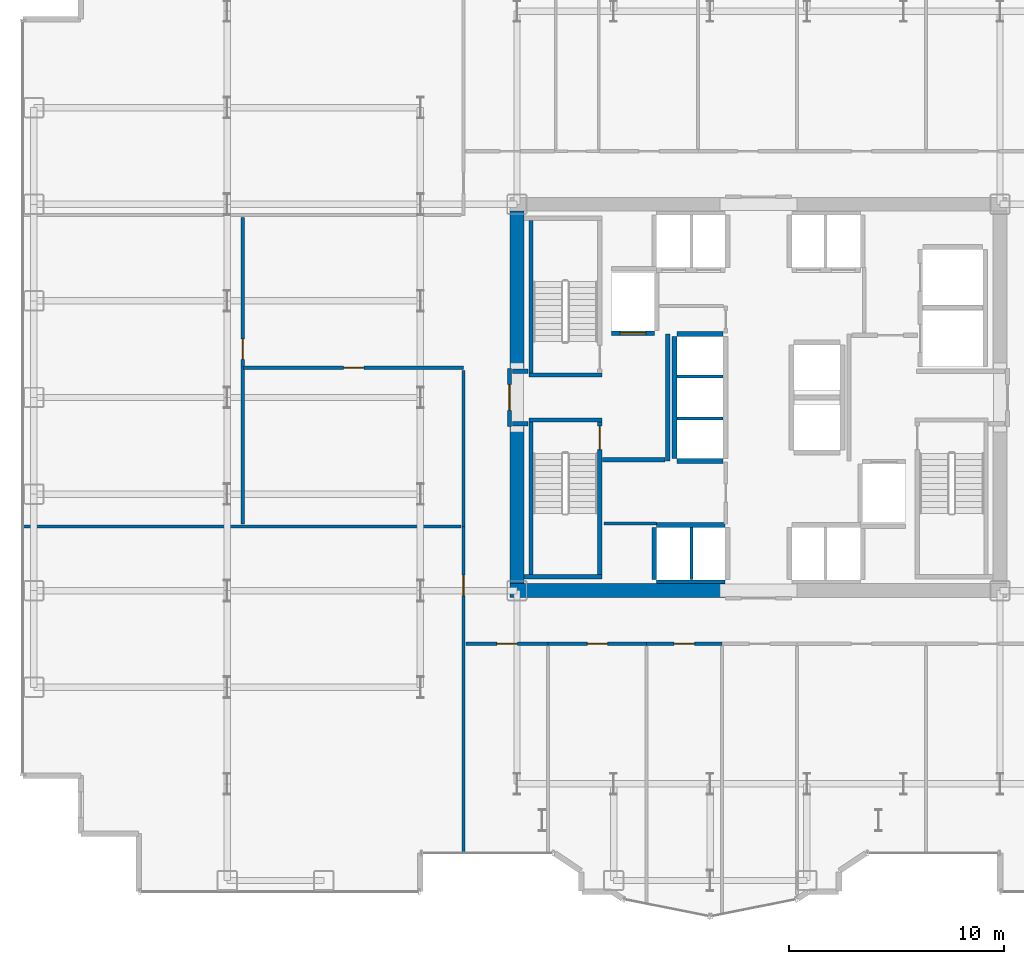
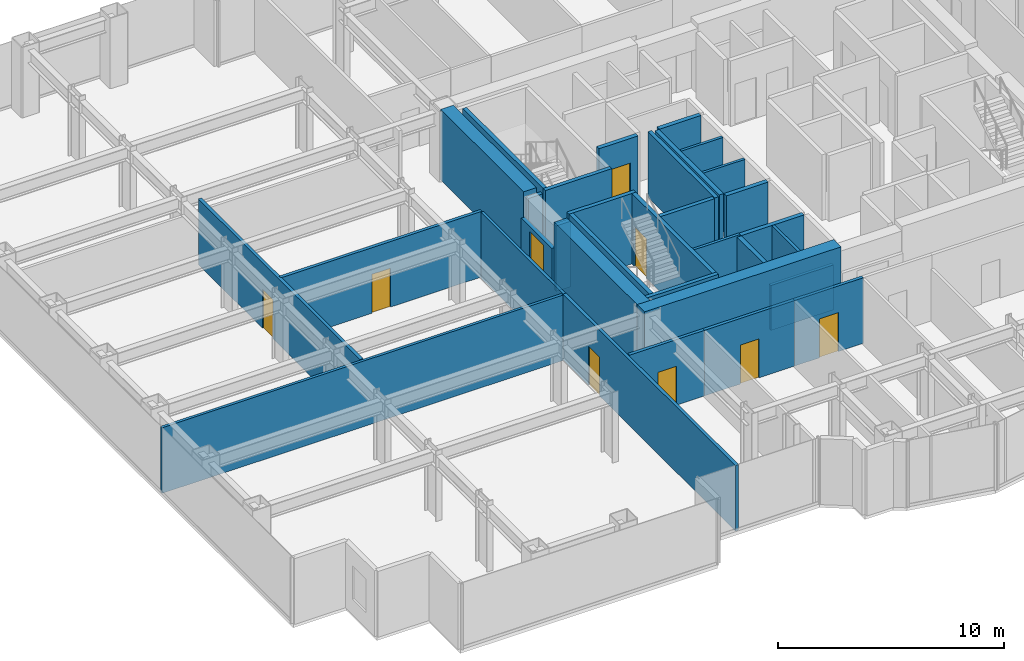
# One storey, part 20 of 26: 33 walls, 9 doors, 9 openings.
"""IFC4 building model written with IfcOpenShell, lengths in metres."""

from ifc_helpers import new_model, si_unit, direction, frame, frame_2d, origin, place, context, subcontext, project, spatial, rectangle, extrude, source, transform, mapped, material, layer, layer_set, type_object, element, fill, save


model = new_model("IFC4")

# Units and contexts
model_context = context("Model", 3, precision=1e-05, world=origin(), true_north=direction((0.0, 1.0)))
body_context = subcontext(model_context, "Body", "Model", "MODEL_VIEW")
ifc_project = project(units=[si_unit("LENGTHUNIT", "METRE"), si_unit("AREAUNIT", "SQUARE_METRE"), si_unit("VOLUMEUNIT", "CUBIC_METRE"), si_unit("PLANEANGLEUNIT", "RADIAN"), si_unit("MASSUNIT", "GRAM", prefix="KILO")], contexts=[model_context])

# Site, building, storey
site_placement = place(None, origin())
site = spatial("IfcSite", under=ifc_project, at=site_placement, CompositionType="ELEMENT")
building_placement = place(site_placement, origin())
building = spatial("IfcBuilding", under=site, at=building_placement, Name="Nefas-Gora Pilgrimage Tower", CompositionType="ELEMENT")
storey_placement = place(building_placement, frame((0.0, 0.0, 63.39990234375)))
storey = spatial("IfcBuildingStorey", under=building, at=storey_placement, Name="L14", CompositionType="ELEMENT", Elevation=63.39990234375)

# Walls
ifc_material_1 = material(Name="Concrete C60/75", Category="concrete")
ifc_layer_1 = layer(ifc_material_1, 0.64990234375)
ifc_layer_set_1 = layer_set([ifc_layer_1], Name="Concrete C60/75")
wall_type_1 = type_object("IfcWallType", Name="SW-CORE-650", PredefinedType="SHEAR", material=ifc_layer_set_1)
shared_shape_1 = source(origin(), body_context, "Body", "SweptSolid", [
    extrude(rectangle(XDim=10.02490234375, YDim=0.64990234375, at=frame_2d((5.012451171875, 0.0))), origin(), (0.0, 0.0, 1.0), 3.800048828125),
])
wall_1_placement = place(storey_placement, frame((-11.574951171875, -9.0, 0.0), z_axis=(0.0, 0.0, 1.0), x_axis=(1.0, 0.0, 0.0)))
element("IfcWall", 1, at=wall_1_placement, inside=storey, type_object=wall_type_1, Name="L14 Core Shear Wall S-West", PredefinedType="SHEAR", context=body_context, shape_type="MappedRepresentation", body=[
    mapped(shared_shape_1, transform((0.0, 0.0, 0.0), x_axis=(1.0, 0.0, 0.0), y_axis=(0.0, 1.0, 0.0), z_axis=(0.0, 0.0, 1.0), scale=1.0)),
])
shared_shape_2 = source(origin(), body_context, "Body", "SweptSolid", [
    extrude(rectangle(XDim=7.324951171875, YDim=0.64990234375, at=frame_2d((3.66259765625, 0.0))), origin(), (0.0, 0.0, 1.0), 3.800048828125),
])
for number, where, z_axis, x_axis, name in (
    (2, (-11.25, -8.675048828125, 0.0), (0.0, 0.0, 1.0), (0.0, 1.0, 0.0), "L14 Core Shear Wall W-South"),
    (3, (-11.25, 1.35009765625, 0.0), (0.0, 0.0, 1.0), (0.0, 1.0, 0.0), "L14 Core Shear Wall W-North"),
):
    element("IfcWall", number, at=place(storey_placement, frame(where, z_axis=z_axis, x_axis=x_axis)), inside=storey, type_object=wall_type_1, Name=name, PredefinedType="SHEAR", context=body_context, shape_type="MappedRepresentation", body=[
        mapped(shared_shape_2, transform((0.0, 0.0, 0.0), x_axis=(1.0, 0.0, 0.0), y_axis=(0.0, 1.0, 0.0), z_axis=(0.0, 0.0, 1.0), scale=1.0)),
    ])
ifc_material_2 = material(Name="Concrete C45/55", Category="concrete")
ifc_layer_2 = layer(ifc_material_2, 0.199951171875)
ifc_layer_set_2 = layer_set([ifc_layer_2], Name="Concrete C45/55")
wall_type_2 = type_object("IfcWallType", Name="IW-STAIR-200", PredefinedType="SOLIDWALL", material=ifc_layer_set_2)
shared_shape_3 = source(origin(), body_context, "Body", "SweptSolid", [
    extrude(rectangle(XDim=3.39990234375, YDim=0.199951171875, at=frame_2d((1.699951171875, 0.0))), origin(), (0.0, 0.0, 1.0), 3.800048828125),
])
for number, where, z_axis, x_axis, name in (
    (4, (-7.300048828125, 1.050048828125, 0.0), (0.0, 0.0, 1.0), (-1.0, 0.0, 0.0), "L14 Stairwell Shear Wall ST-01-near"),
    (5, (-10.699951171875, -1.050048828125, 0.0), (0.0, 0.0, 1.0), (1.0, 0.0, 0.0), "L14 Stairwell Shear Wall ST-03-near"),
):
    element("IfcWall", number, at=place(storey_placement, frame(where, z_axis=z_axis, x_axis=x_axis)), inside=storey, type_object=wall_type_2, Name=name, PredefinedType="SOLIDWALL", context=body_context, shape_type="MappedRepresentation", body=[
        mapped(shared_shape_3, transform((0.0, 0.0, 0.0), x_axis=(1.0, 0.0, 0.0), y_axis=(0.0, 1.0, 0.0), z_axis=(0.0, 0.0, 1.0), scale=1.0)),
    ])
shared_shape_4 = source(origin(), body_context, "Body", "SweptSolid", [
    extrude(rectangle(XDim=3.6298828125, YDim=0.199951171875, at=frame_2d((1.81494140625, 0.0))), origin(), (0.0, 0.0, 1.0), 3.800048828125),
])
wall_2_placement = place(storey_placement, frame((-10.929931640625, -8.35009765625, 0.0), z_axis=(0.0, 0.0, 1.0), x_axis=(1.0, 0.0, 0.0)))
element("IfcWall", 6, at=wall_2_placement, inside=storey, type_object=wall_type_2, Name="L14 Stairwell Shear Wall ST-03-far", PredefinedType="SOLIDWALL", context=body_context, shape_type="MappedRepresentation", body=[
    mapped(shared_shape_4, transform((0.0, 0.0, 0.0), x_axis=(1.0, 0.0, 0.0), y_axis=(0.0, 1.0, 0.0), z_axis=(0.0, 0.0, 1.0), scale=1.0)),
])
shared_shape_5 = source(origin(), body_context, "Body", "SweptSolid", [
    extrude(rectangle(XDim=7.10009765625, YDim=0.199951171875, at=frame_2d((3.550048828125, 0.0))), origin(), (0.0, 0.0, 1.0), 3.800048828125),
])
for number, where, z_axis, x_axis, name in (
    (7, (-10.60009765625, 1.14990234375, 0.0), (0.0, 0.0, 1.0), (0.0, 1.0, 0.0), "L14 Stairwell Shear Wall ST-01-right"),
    (8, (-10.60009765625, -1.14990234375, 0.0), (0.0, 0.0, 1.0), (0.0, -1.0, 0.0), "L14 Stairwell Shear Wall ST-03-left"),
):
    element("IfcWall", number, at=place(storey_placement, frame(where, z_axis=z_axis, x_axis=x_axis)), inside=storey, type_object=wall_type_2, Name=name, PredefinedType="SOLIDWALL", context=body_context, shape_type="MappedRepresentation", body=[
        mapped(shared_shape_5, transform((0.0, 0.0, 0.0), x_axis=(1.0, 0.0, 0.0), y_axis=(0.0, 1.0, 0.0), z_axis=(0.0, 0.0, 1.0), scale=1.0)),
    ])

# Wall, opening, door
wall_3_placement = place(storey_placement, frame((-7.39990234375, -1.14990234375, 0.0), z_axis=(0.0, 0.0, 1.0), x_axis=(0.0, -1.0, 0.0)))
wall_3 = element("IfcWall", 9, at=wall_3_placement, inside=storey, type_object=wall_type_2, Name="L14 Stairwell Shear Wall ST-03-right", PredefinedType="SOLIDWALL", context=body_context, shape_type="MappedRepresentation", body=[
    mapped(shared_shape_5, transform((0.0, 0.0, 0.0), x_axis=(1.0, 0.0, 0.0), y_axis=(0.0, 1.0, 0.0), z_axis=(0.0, 0.0, 1.0), scale=1.0)),
])
opening_1_placement = place(wall_3_placement, frame((0.179931640625, 0.0, 0.0)))
opening_1 = element("IfcOpeningElement", 10, at=opening_1_placement, cuts=wall_3, Name="Opening ID-ST1", PredefinedType="OPENING", context=body_context, shape_type="SweptSolid", body=[
    extrude(rectangle(XDim=1.10009765625, YDim=2.14990234375, at=frame_2d((0.550048828125, 1.074951171875))), frame((0.0, 0.10986328125, 0.0), z_axis=(0.0, -1.0, 0.0), x_axis=(1.0, 0.0, 0.0)), (0.0, 0.0, 1.0), 0.219970703125),
])
ifc_material_3 = material(Name="Painted galvanised steel fire stair door", Category="steel")
door_type_1 = type_object("IfcDoorType", Name="DR-INT-STAIR-1100", OperationType="NOTDEFINED", PredefinedType="DOOR", material=ifc_material_3)
shared_shape_6 = source(origin(), body_context, "Body", "SweptSolid", [
    extrude(rectangle(XDim=1.10009765625, YDim=2.14990234375, at=frame_2d((0.550048828125, 1.074951171875))), frame((0.0, 0.02490234375, 0.0), z_axis=(0.0, -1.0, 0.0), x_axis=(1.0, 0.0, 0.0)), (0.0, 0.0, 1.0), 0.050048828125),
])
door_1_placement = place(opening_1_placement, origin())
door_1 = element("IfcDoor", 11, at=door_1_placement, inside=storey, type_object=door_type_1, Name="L14 Protected Exit Stair Door ST-03", OperationType="SINGLE_SWING_RIGHT", OverallHeight=2.14990234375, OverallWidth=1.10009765625, PredefinedType="DOOR", context=body_context, shape_type="MappedRepresentation", body=[
    mapped(shared_shape_6, transform((0.0, 0.0, 0.0), x_axis=(1.0, 0.0, 0.0), y_axis=(0.0, 1.0, 0.0), z_axis=(0.0, 0.0, 1.0), scale=1.0)),
])
fill(opening_1, door_1)

# Wall
ifc_material_4 = material(Name="Gypsum acoustic stud partition")
ifc_layer_3 = layer(ifc_material_4, 0.159912109375)
ifc_layer_set_3 = layer_set([ifc_layer_3], Name="Gypsum acoustic stud partition")
wall_type_3 = type_object("IfcWallType", Name="IW-CORR-160", PredefinedType="PARTITIONING", material=ifc_layer_set_3)
shared_shape_7 = source(origin(), body_context, "Body", "SweptSolid", [
    extrude(rectangle(XDim=3.199951171875, YDim=0.159912109375, at=frame_2d((1.60009765625, 0.0))), origin(), (0.0, 0.0, 1.0), 2.425048828125),
])
wall_4_placement = place(storey_placement, frame((-4.75, -8.580078125, 0.0), z_axis=(0.0, 0.0, 1.0), x_axis=(1.0, 0.0, 0.0)))
element("IfcWall", 12, at=wall_4_placement, inside=storey, type_object=wall_type_3, Name="L14 Hoistway Wall PL2-W-S", PredefinedType="PARTITIONING", context=body_context, shape_type="MappedRepresentation", body=[
    mapped(shared_shape_7, transform((0.0, 0.0, 0.0), x_axis=(1.0, 0.0, 0.0), y_axis=(0.0, 1.0, 0.0), z_axis=(0.0, 0.0, 1.0), scale=1.0)),
])

# Wall, opening, door
ifc_material_5 = material(Name="Concrete C40/50", Category="concrete")
ifc_layer_4 = layer(ifc_material_5, 0.219970703125)
ifc_layer_set_4 = layer_set([ifc_layer_4], Name="Concrete C40/50")
wall_type_4 = type_object("IfcWallType", Name="IW-SHAFT-220", PredefinedType="SOLIDWALL", material=ifc_layer_set_4)
shared_shape_8 = source(origin(), body_context, "Body", "SweptSolid", [
    extrude(rectangle(XDim=2.0, YDim=0.219970703125, at=frame_2d((1.0, 0.0))), origin(), (0.0, 0.0, 1.0), 3.53515625),
])
wall_5_placement = place(storey_placement, frame((-6.85009765625, 2.989990234375, 0.0), z_axis=(0.0, 0.0, 1.0), x_axis=(1.0, 0.0, 0.0)))
wall_5 = element("IfcWall", 13, at=wall_5_placement, inside=storey, type_object=wall_type_4, Name="L14 Hoistway Wall FFL-01-S", PredefinedType="SOLIDWALL", context=body_context, shape_type="MappedRepresentation", body=[
    mapped(shared_shape_8, transform((0.0, 0.0, 0.0), x_axis=(1.0, 0.0, 0.0), y_axis=(0.0, 1.0, 0.0), z_axis=(0.0, 0.0, 1.0), scale=1.0)),
])
opening_2_placement = place(wall_5_placement, frame((0.39990234375, 0.0, 0.0)))
opening_2 = element("IfcOpeningElement", 14, at=opening_2_placement, cuts=wall_5, Name="Opening LD-FF", PredefinedType="OPENING", context=body_context, shape_type="SweptSolid", body=[
    extrude(rectangle(XDim=1.199951171875, YDim=2.199951171875, at=frame_2d((0.60009765625, 1.10009765625))), frame((0.0, 0.119873046875, 0.0), z_axis=(0.0, -1.0, 0.0), x_axis=(1.0, 0.0, 0.0)), (0.0, 0.0, 1.0), 0.239990234375),
])
ifc_material_6 = material(Name="Fire-service sliding lift landing door")
door_type_2 = type_object("IfcDoorType", Name="DR-LIFT-FSAE-1200", OperationType="SLIDING_TO_LEFT", PredefinedType="DOOR", material=ifc_material_6)
shared_shape_9 = source(origin(), body_context, "Body", "SweptSolid", [
    extrude(rectangle(XDim=1.199951171875, YDim=2.199951171875, at=frame_2d((0.60009765625, 1.10009765625))), frame((0.0, 0.02490234375, 0.0), z_axis=(0.0, -1.0, 0.0), x_axis=(1.0, 0.0, 0.0)), (0.0, 0.0, 1.0), 0.050048828125),
])
door_2_placement = place(opening_2_placement, origin())
door_2 = element("IfcDoor", 15, at=door_2_placement, inside=storey, type_object=door_type_2, Name="L14 Sliding Lift Landing Door FFL-01", OperationType="SLIDING_TO_LEFT", OverallHeight=2.199951171875, OverallWidth=1.199951171875, PredefinedType="DOOR", context=body_context, shape_type="MappedRepresentation", body=[
    mapped(shared_shape_9, transform((0.0, 0.0, 0.0), x_axis=(1.0, 0.0, 0.0), y_axis=(0.0, 1.0, 0.0), z_axis=(0.0, 0.0, 1.0), scale=1.0)),
])
fill(opening_2, door_2)

# Walls
shared_shape_10 = source(origin(), body_context, "Body", "SweptSolid", [
    extrude(rectangle(XDim=3.199951171875, YDim=0.219970703125, at=frame_2d((1.60009765625, 0.0))), origin(), (0.0, 0.0, 1.0), 3.53515625),
])
wall_6_placement = place(storey_placement, frame((-1.550048828125, -5.93994140625, 0.0), z_axis=(0.0, 0.0, 1.0), x_axis=(-1.0, 0.0, 0.0)))
element("IfcWall", 16, at=wall_6_placement, inside=storey, type_object=wall_type_4, Name="L14 Hoistway Wall PL2-W-N", PredefinedType="SOLIDWALL", context=body_context, shape_type="MappedRepresentation", body=[
    mapped(shared_shape_10, transform((0.0, 0.0, 0.0), x_axis=(1.0, 0.0, 0.0), y_axis=(0.0, 1.0, 0.0), z_axis=(0.0, 0.0, 1.0), scale=1.0)),
])
shared_shape_11 = source(origin(), body_context, "Body", "SweptSolid", [
    extrude(rectangle(XDim=2.429931640625, YDim=0.219970703125, at=frame_2d((1.21484375, 0.0))), origin(), (0.0, 0.0, 1.0), 3.53515625),
])
wall_7_placement = place(storey_placement, frame((-4.860107421875, -6.06005859375, 0.0), z_axis=(0.0, 0.0, 1.0), x_axis=(0.0, -1.0, 0.0)))
element("IfcWall", 17, at=wall_7_placement, inside=storey, type_object=wall_type_4, Name="L14 Hoistway Wall PL2-W-W", PredefinedType="SOLIDWALL", context=body_context, shape_type="MappedRepresentation", body=[
    mapped(shared_shape_11, transform((0.0, 0.0, 0.0), x_axis=(1.0, 0.0, 0.0), y_axis=(0.0, 1.0, 0.0), z_axis=(0.0, 0.0, 1.0), scale=1.0)),
])
ifc_material_7 = material(Name="Gypsum twin-stud partition")
ifc_layer_5 = layer(ifc_material_7, 0.139892578125)
ifc_layer_set_5 = layer_set([ifc_layer_5], Name="Gypsum twin-stud partition")
wall_type_5 = type_object("IfcWallType", Name="IW-UNIT-140", PredefinedType="PARTITIONING", material=ifc_layer_set_5)
shared_shape_12 = source(origin(), body_context, "Body", "SweptSolid", [
    extrude(rectangle(XDim=2.429931640625, YDim=0.139892578125, at=frame_2d((1.21484375, 0.0))), origin(), (0.0, 0.0, 1.0), 3.53515625),
])
wall_8_placement = place(storey_placement, frame((-3.125, -8.489990234375, 0.0), z_axis=(0.0, 0.0, 1.0), x_axis=(0.0, 1.0, 0.0)))
element("IfcWall", 18, at=wall_8_placement, inside=storey, type_object=wall_type_5, Name="L14 Hoistway Wall PL2-W-DIV", PredefinedType="PARTITIONING", context=body_context, shape_type="MappedRepresentation", body=[
    mapped(shared_shape_12, transform((0.0, 0.0, 0.0), x_axis=(1.0, 0.0, 0.0), y_axis=(0.0, 1.0, 0.0), z_axis=(0.0, 0.0, 1.0), scale=1.0)),
])
shared_shape_13 = source(origin(), body_context, "Body", "SweptSolid", [
    extrude(rectangle(XDim=5.7001953125, YDim=0.219970703125, at=frame_2d((2.85009765625, 0.0))), origin(), (0.0, 0.0, 1.0), 3.53515625),
])
wall_9_placement = place(storey_placement, frame((-3.909912109375, 2.85009765625, 0.0), z_axis=(0.0, 0.0, 1.0), x_axis=(0.0, -1.0, 0.0)))
element("IfcWall", 19, at=wall_9_placement, inside=storey, type_object=wall_type_4, Name="L14 Hoistway Wall PL3-01-03-W", PredefinedType="SOLIDWALL", context=body_context, shape_type="MappedRepresentation", body=[
    mapped(shared_shape_13, transform((0.0, 0.0, 0.0), x_axis=(1.0, 0.0, 0.0), y_axis=(0.0, 1.0, 0.0), z_axis=(0.0, 0.0, 1.0), scale=1.0)),
])
shared_shape_14 = source(origin(), body_context, "Body", "SweptSolid", [
    extrude(rectangle(XDim=2.130126953125, YDim=0.219970703125, at=frame_2d((1.06494140625, 0.0))), origin(), (0.0, 0.0, 1.0), 3.53515625),
])
for number, where, z_axis, x_axis, name in (
    (20, (-3.7900390625, -2.9599609375, 0.0), (0.0, 0.0, 1.0), (1.0, 0.0, 0.0), "L14 Hoistway Wall PL3-01-S"),
    (21, (-1.659912109375, 2.9599609375, 0.0), (0.0, 0.0, 1.0), (-1.0, 0.0, 0.0), "L14 Hoistway Wall PL3-03-N"),
):
    element("IfcWall", number, at=place(storey_placement, frame(where, z_axis=z_axis, x_axis=x_axis)), inside=storey, type_object=wall_type_4, Name=name, PredefinedType="SOLIDWALL", context=body_context, shape_type="MappedRepresentation", body=[
        mapped(shared_shape_14, transform((0.0, 0.0, 0.0), x_axis=(1.0, 0.0, 0.0), y_axis=(0.0, 1.0, 0.0), z_axis=(0.0, 0.0, 1.0), scale=1.0)),
    ])
shared_shape_15 = source(origin(), body_context, "Body", "SweptSolid", [
    extrude(rectangle(XDim=2.130126953125, YDim=0.139892578125, at=frame_2d((1.06494140625, 0.0))), origin(), (0.0, 0.0, 1.0), 3.53515625),
])
for number, where, z_axis, x_axis, name in (
    (22, (-3.7900390625, -0.97509765625, 0.0), (0.0, 0.0, 1.0), (1.0, 0.0, 0.0), "L14 Hoistway Wall PL3-01-02-DIV"),
    (23, (-3.7900390625, 0.97509765625, 0.0), (0.0, 0.0, 1.0), (1.0, 0.0, 0.0), "L14 Hoistway Wall PL3-02-03-DIV"),
):
    element("IfcWall", number, at=place(storey_placement, frame(where, z_axis=z_axis, x_axis=x_axis)), inside=storey, type_object=wall_type_5, Name=name, PredefinedType="PARTITIONING", context=body_context, shape_type="MappedRepresentation", body=[
        mapped(shared_shape_15, transform((0.0, 0.0, 0.0), x_axis=(1.0, 0.0, 0.0), y_axis=(0.0, 1.0, 0.0), z_axis=(0.0, 0.0, 1.0), scale=1.0)),
    ])

# Wall, opening, door
ifc_material_8 = material(Name="Gypsum fire-rated shaftwall")
ifc_layer_6 = layer(ifc_material_8, 0.199951171875)
ifc_layer_set_6 = layer_set([ifc_layer_6], Name="Gypsum fire-rated shaftwall")
wall_type_6 = type_object("IfcWallType", Name="IW-FFLOB-200", PredefinedType="PARTITIONING", material=ifc_layer_set_6)
shared_shape_16 = source(origin(), body_context, "Body", "SweptSolid", [
    extrude(rectangle(XDim=2.7001953125, YDim=0.199951171875, at=frame_2d((1.35009765625, 0.0))), origin(), (0.0, 0.0, 1.0), 2.425048828125),
])
wall_10_placement = place(storey_placement, frame((-11.60009765625, -1.35009765625, 0.0), z_axis=(0.0, 0.0, 1.0), x_axis=(0.0, 1.0, 0.0)))
wall_10 = element("IfcWall", 24, at=wall_10_placement, inside=storey, type_object=wall_type_6, Name="L14 FF Lobby West Portal Wall 3", PredefinedType="PARTITIONING", context=body_context, shape_type="MappedRepresentation", body=[
    mapped(shared_shape_16, transform((0.0, 0.0, 0.0), x_axis=(1.0, 0.0, 0.0), y_axis=(0.0, 1.0, 0.0), z_axis=(0.0, 0.0, 1.0), scale=1.0)),
])
opening_3_placement = place(wall_10_placement, frame((0.75, 0.0, 0.0)))
opening_3 = element("IfcOpeningElement", 25, at=opening_3_placement, cuts=wall_10, Name="Opening ID-FF1", PredefinedType="OPENING", context=body_context, shape_type="SweptSolid", body=[
    extrude(rectangle(XDim=1.199951171875, YDim=2.14990234375, at=frame_2d((0.60009765625, 1.074951171875))), frame((0.0, 0.10986328125, 0.0), z_axis=(0.0, -1.0, 0.0), x_axis=(1.0, 0.0, 0.0)), (0.0, 0.0, 1.0), 0.219970703125),
])
ifc_material_9 = material(Name="Smoke-sealed steel firefighting lobby door", Category="steel")
door_type_3 = type_object("IfcDoorType", Name="DR-INT-FFLOB-1200", OperationType="NOTDEFINED", PredefinedType="DOOR", material=ifc_material_9)
shared_shape_17 = source(origin(), body_context, "Body", "SweptSolid", [
    extrude(rectangle(XDim=1.199951171875, YDim=2.14990234375, at=frame_2d((0.60009765625, 1.074951171875))), frame((0.0, 0.02490234375, 0.0), z_axis=(0.0, -1.0, 0.0), x_axis=(1.0, 0.0, 0.0)), (0.0, 0.0, 1.0), 0.050048828125),
])
door_3_placement = place(opening_3_placement, origin())
door_3 = element("IfcDoor", 26, at=door_3_placement, inside=storey, type_object=door_type_3, Name="L14 FF Lobby West Portal Door 1", OperationType="SINGLE_SWING_RIGHT", OverallHeight=2.14990234375, OverallWidth=1.199951171875, PredefinedType="DOOR", context=body_context, shape_type="MappedRepresentation", body=[
    mapped(shared_shape_17, transform((0.0, 0.0, 0.0), x_axis=(1.0, 0.0, 0.0), y_axis=(0.0, 1.0, 0.0), z_axis=(0.0, 0.0, 1.0), scale=1.0)),
])
fill(opening_3, door_3)

# Walls
shared_shape_18 = source(origin(), body_context, "Body", "SweptSolid", [
    extrude(rectangle(XDim=5.89990234375, YDim=0.199951171875, at=frame_2d((2.949951171875, 0.0))), origin(), (0.0, 0.0, 1.0), 3.53515625),
])
wall_11_placement = place(storey_placement, frame((-4.219970703125, -2.949951171875, 0.0), z_axis=(0.0, 0.0, 1.0), x_axis=(0.0, 1.0, 0.0)))
element("IfcWall", 27, at=wall_11_placement, inside=storey, type_object=wall_type_6, Name="L14 FF Lobby West Inner Wall Wall 4", PredefinedType="PARTITIONING", context=body_context, shape_type="MappedRepresentation", body=[
    mapped(shared_shape_18, transform((0.0, 0.0, 0.0), x_axis=(1.0, 0.0, 0.0), y_axis=(0.0, 1.0, 0.0), z_axis=(0.0, 0.0, 1.0), scale=1.0)),
])
shared_shape_19 = source(origin(), body_context, "Body", "SweptSolid", [
    extrude(rectangle(XDim=2.89990234375, YDim=0.199951171875, at=frame_2d((1.449951171875, 0.0))), origin(), (0.0, 0.0, 1.0), 3.53515625),
])
wall_12_placement = place(storey_placement, frame((-7.260009765625, -2.89990234375, 0.0), z_axis=(0.0, 0.0, 1.0), x_axis=(1.0, 0.0, 0.0)))
element("IfcWall", 28, at=wall_12_placement, inside=storey, type_object=wall_type_6, Name="L14 FF Lobby West South Wall Wall 5", PredefinedType="PARTITIONING", context=body_context, shape_type="MappedRepresentation", body=[
    mapped(shared_shape_19, transform((0.0, 0.0, 0.0), x_axis=(1.0, 0.0, 0.0), y_axis=(0.0, 1.0, 0.0), z_axis=(0.0, 0.0, 1.0), scale=1.0)),
])
shared_shape_20 = source(origin(), body_context, "Body", "SweptSolid", [
    extrude(rectangle(XDim=0.719970703125, YDim=0.199951171875, at=frame_2d((0.35986328125, 0.0))), origin(), (0.0, 0.0, 1.0), 3.53515625),
])
for number, where, z_axis, x_axis, name in (
    (29, (-11.4599609375, 1.219970703125, 0.0), (0.0, 0.0, 1.0), (1.0, 0.0, 0.0), "L14 FF Lobby West Throat N Wall 6"),
    (30, (-11.4599609375, -1.219970703125, 0.0), (0.0, 0.0, 1.0), (1.0, 0.0, 0.0), "L14 FF Lobby West Throat S Wall 7"),
):
    element("IfcWall", number, at=place(storey_placement, frame(where, z_axis=z_axis, x_axis=x_axis)), inside=storey, type_object=wall_type_6, Name=name, PredefinedType="PARTITIONING", context=body_context, shape_type="MappedRepresentation", body=[
        mapped(shared_shape_20, transform((0.0, 0.0, 0.0), x_axis=(1.0, 0.0, 0.0), y_axis=(0.0, 1.0, 0.0), z_axis=(0.0, 0.0, 1.0), scale=1.0)),
    ])

# Wall, opening, door
shared_shape_21 = source(origin(), body_context, "Body", "SweptSolid", [
    extrude(rectangle(XDim=10.25, YDim=0.159912109375, at=frame_2d((5.125, 0.0))), origin(), (0.0, 0.0, 1.0), 3.53515625),
])
wall_13_placement = place(storey_placement, frame((-23.97998046875, 1.3798828125, 0.0), z_axis=(0.0, 0.0, 1.0), x_axis=(1.0, 0.0, 0.0)))
wall_13 = element("IfcWall", 31, at=wall_13_placement, inside=storey, type_object=wall_type_3, Name="L14 Pilgrim Tea and Beverage Pantry Partition Wall 27", PredefinedType="PARTITIONING", context=body_context, shape_type="MappedRepresentation", body=[
    mapped(shared_shape_21, transform((0.0, 0.0, 0.0), x_axis=(1.0, 0.0, 0.0), y_axis=(0.0, 1.0, 0.0), z_axis=(0.0, 0.0, 1.0), scale=1.0)),
])
opening_4_placement = place(wall_13_placement, frame((4.64990234375, 0.0, 0.0)))
opening_4 = element("IfcOpeningElement", 32, at=opening_4_placement, cuts=wall_13, Name="Opening ID-GR1", PredefinedType="OPENING", context=body_context, shape_type="SweptSolid", body=[
    extrude(rectangle(XDim=0.949951171875, YDim=2.10009765625, at=frame_2d((0.47509765625, 1.050048828125))), frame((0.0, 0.08984375, 0.0), z_axis=(0.0, -1.0, 0.0), x_axis=(1.0, 0.0, 0.0)), (0.0, 0.0, 1.0), 0.179931640625),
])
ifc_material_10 = material(Name="Solid core oak fire-rated guest entrance door")
door_type_4 = type_object("IfcDoorType", Name="DR-INT-GUEST-950", OperationType="NOTDEFINED", PredefinedType="DOOR", material=ifc_material_10)
shared_shape_22 = source(origin(), body_context, "Body", "SweptSolid", [
    extrude(rectangle(XDim=0.949951171875, YDim=2.10009765625, at=frame_2d((0.47509765625, 1.050048828125))), frame((0.0, 0.02490234375, 0.0), z_axis=(0.0, -1.0, 0.0), x_axis=(1.0, 0.0, 0.0)), (0.0, 0.0, 1.0), 0.050048828125),
])
door_4_placement = place(opening_4_placement, origin())
door_4 = element("IfcDoor", 33, at=door_4_placement, inside=storey, type_object=door_type_4, Name="L14 Pilgrim Tea and Beverage Pantry Door 11", OperationType="SINGLE_SWING_RIGHT", OverallHeight=2.10009765625, OverallWidth=0.949951171875, PredefinedType="DOOR", context=body_context, shape_type="MappedRepresentation", body=[
    mapped(shared_shape_22, transform((0.0, 0.0, 0.0), x_axis=(1.0, 0.0, 0.0), y_axis=(0.0, 1.0, 0.0), z_axis=(0.0, 0.0, 1.0), scale=1.0)),
])
fill(opening_4, door_4)

# Walls
shared_shape_23 = source(origin(), body_context, "Body", "SweptSolid", [
    extrude(rectangle(XDim=2.43505859375, YDim=0.139892578125, at=frame_2d((1.217529296875, 0.0))), origin(), (0.0, 0.0, 1.0), 3.53515625),
])
wall_14_placement = place(storey_placement, frame((-7.18994140625, -5.8798828125, 0.0), z_axis=(0.0, 0.0, 1.0), x_axis=(1.0, 0.0, 0.0)))
element("IfcWall", 34, at=wall_14_placement, inside=storey, type_object=wall_type_5, Name="L14 Pilgrim Baggage and Gear Vault Partition Wall 19", PredefinedType="PARTITIONING", context=body_context, shape_type="MappedRepresentation", body=[
    mapped(shared_shape_23, transform((0.0, 0.0, 0.0), x_axis=(1.0, 0.0, 0.0), y_axis=(0.0, 1.0, 0.0), z_axis=(0.0, 0.0, 1.0), scale=1.0)),
])
shared_shape_24 = source(origin(), body_context, "Body", "SweptSolid", [
    extrude(rectangle(XDim=20.429931640625, YDim=0.139892578125, at=frame_2d((10.21484375, 0.0))), origin(), (0.0, 0.0, 1.0), 3.53515625),
])
wall_15_placement = place(storey_placement, frame((-34.2900390625, -6.0048828125, 0.0), z_axis=(0.0, 0.0, 1.0), x_axis=(1.0, 0.0, 0.0)))
element("IfcWall", 35, at=wall_15_placement, inside=storey, type_object=wall_type_5, Name="L14 Pilgrim Tea and Beverage Pantry Partition Wall 24", PredefinedType="PARTITIONING", context=body_context, shape_type="MappedRepresentation", body=[
    mapped(shared_shape_24, transform((0.0, 0.0, 0.0), x_axis=(1.0, 0.0, 0.0), y_axis=(0.0, 1.0, 0.0), z_axis=(0.0, 0.0, 1.0), scale=1.0)),
])

# Wall, opening, door
shared_shape_25 = source(origin(), body_context, "Body", "SweptSolid", [
    extrude(rectangle(XDim=15.244873046875, YDim=0.159912109375, at=frame_2d((7.62255859375, 0.0))), origin(), (0.0, 0.0, 1.0), 3.53515625),
])
wall_16_placement = place(storey_placement, frame((-13.739990234375, -21.239990234375, 0.0), z_axis=(0.0, 0.0, 1.0), x_axis=(0.0, 1.0, 0.0)))
wall_16 = element("IfcWall", 36, at=wall_16_placement, inside=storey, type_object=wall_type_3, Name="L14 Pilgrim Tea and Beverage Pantry Partition Wall 23", PredefinedType="PARTITIONING", context=body_context, shape_type="MappedRepresentation", body=[
    mapped(shared_shape_25, transform((0.0, 0.0, 0.0), x_axis=(1.0, 0.0, 0.0), y_axis=(0.0, 1.0, 0.0), z_axis=(0.0, 0.0, 1.0), scale=1.0)),
])
opening_5_placement = place(wall_16_placement, frame((12.012451171875, 0.0, 0.0)))
opening_5 = element("IfcOpeningElement", 37, at=opening_5_placement, cuts=wall_16, Name="Opening ID-GR1", PredefinedType="OPENING", context=body_context, shape_type="SweptSolid", body=[
    extrude(rectangle(XDim=0.949951171875, YDim=2.10009765625, at=frame_2d((0.47509765625, 1.050048828125))), frame((0.0, 0.08984375, 0.0), z_axis=(0.0, -1.0, 0.0), x_axis=(1.0, 0.0, 0.0)), (0.0, 0.0, 1.0), 0.179931640625),
])
door_5_placement = place(opening_5_placement, origin())
door_5 = element("IfcDoor", 38, at=door_5_placement, inside=storey, type_object=door_type_4, Name="L14 Pilgrim Tea and Beverage Pantry Door 9", OperationType="SINGLE_SWING_RIGHT", OverallHeight=2.10009765625, OverallWidth=0.949951171875, PredefinedType="DOOR", context=body_context, shape_type="MappedRepresentation", body=[
    mapped(shared_shape_22, transform((0.0, 0.0, 0.0), x_axis=(1.0, 0.0, 0.0), y_axis=(0.0, 1.0, 0.0), z_axis=(0.0, 0.0, 1.0), scale=1.0)),
])
fill(opening_5, door_5)

# Wall
shared_shape_26 = source(origin(), body_context, "Body", "SweptSolid", [
    extrude(rectangle(XDim=7.264892578125, YDim=0.139892578125, at=frame_2d((3.63232421875, 0.0))), origin(), (0.0, 0.0, 1.0), 3.53515625),
])
wall_17_placement = place(storey_placement, frame((-13.739990234375, -6.0048828125, 0.0), z_axis=(0.0, 0.0, 1.0), x_axis=(0.0, 1.0, 0.0)))
element("IfcWall", 39, at=wall_17_placement, inside=storey, type_object=wall_type_5, Name="L14 Pilgrim Tea and Beverage Pantry Partition Wall 28", PredefinedType="PARTITIONING", context=body_context, shape_type="MappedRepresentation", body=[
    mapped(shared_shape_26, transform((0.0, 0.0, 0.0), x_axis=(1.0, 0.0, 0.0), y_axis=(0.0, 1.0, 0.0), z_axis=(0.0, 0.0, 1.0), scale=1.0)),
])

# Wall, opening, door
shared_shape_27 = source(origin(), body_context, "Body", "SweptSolid", [
    extrude(rectangle(XDim=14.282470703125, YDim=0.159912109375, at=frame_2d((7.14111328125, 0.0))), origin(), (0.0, 0.0, 1.0), 3.53515625),
])
wall_18_placement = place(storey_placement, frame((-24.02001953125, -5.89501953125, 0.0), z_axis=(0.0, 0.0, 1.0), x_axis=(0.0, 1.0, 0.0)))
wall_18 = element("IfcWall", 40, at=wall_18_placement, inside=storey, type_object=wall_type_3, Name="L14 Pilgrim Tea and Beverage Pantry Partition Wall 29", PredefinedType="PARTITIONING", context=body_context, shape_type="MappedRepresentation", body=[
    mapped(shared_shape_27, transform((0.0, 0.0, 0.0), x_axis=(1.0, 0.0, 0.0), y_axis=(0.0, 1.0, 0.0), z_axis=(0.0, 0.0, 1.0), scale=1.0)),
])
opening_6_placement = place(wall_18_placement, frame((7.669921875, 0.0, 0.0)))
opening_6 = element("IfcOpeningElement", 41, at=opening_6_placement, cuts=wall_18, Name="Opening ID-GR1", PredefinedType="OPENING", context=body_context, shape_type="SweptSolid", body=[
    extrude(rectangle(XDim=0.949951171875, YDim=2.10009765625, at=frame_2d((0.47509765625, 1.050048828125))), frame((0.0, 0.08984375, 0.0), z_axis=(0.0, -1.0, 0.0), x_axis=(1.0, 0.0, 0.0)), (0.0, 0.0, 1.0), 0.179931640625),
])
door_6_placement = place(opening_6_placement, origin())
door_6 = element("IfcDoor", 42, at=door_6_placement, inside=storey, type_object=door_type_4, Name="L14 Pilgrim Tea and Beverage Pantry Door 12", OperationType="SINGLE_SWING_LEFT", OverallHeight=2.10009765625, OverallWidth=0.949951171875, PredefinedType="DOOR", context=body_context, shape_type="MappedRepresentation", body=[
    mapped(shared_shape_22, transform((0.0, 0.0, 0.0), x_axis=(1.0, 0.0, 0.0), y_axis=(0.0, 1.0, 0.0), z_axis=(0.0, 0.0, 1.0), scale=1.0)),
])
fill(opening_6, door_6)

shared_shape_28 = source(origin(), body_context, "Body", "SweptSolid", [
    extrude(rectangle(XDim=3.8251953125, YDim=0.159912109375, at=frame_2d((1.91259765625, 0.0))), origin(), (0.0, 0.0, 1.0), 3.53515625),
])
wall_19_placement = place(storey_placement, frame((-13.6201171875, -11.469970703125, 0.0), z_axis=(0.0, 0.0, 1.0), x_axis=(1.0, 0.0, 0.0)))
wall_19 = element("IfcWall", 43, at=wall_19_placement, inside=storey, type_object=wall_type_3, Name="L14 Pilgrim Contemplative Lounge Partition Wall 49", PredefinedType="PARTITIONING", context=body_context, shape_type="MappedRepresentation", body=[
    mapped(shared_shape_28, transform((0.0, 0.0, 0.0), x_axis=(1.0, 0.0, 0.0), y_axis=(0.0, 1.0, 0.0), z_axis=(0.0, 0.0, 1.0), scale=1.0)),
])
opening_7_placement = place(wall_19_placement, frame((1.4375, 0.0, 0.0)))
opening_7 = element("IfcOpeningElement", 44, at=opening_7_placement, cuts=wall_19, Name="Opening ID-GR1", PredefinedType="OPENING", context=body_context, shape_type="SweptSolid", body=[
    extrude(rectangle(XDim=0.949951171875, YDim=2.10009765625, at=frame_2d((0.47509765625, 1.050048828125))), frame((0.0, 0.08984375, 0.0), z_axis=(0.0, -1.0, 0.0), x_axis=(1.0, 0.0, 0.0)), (0.0, 0.0, 1.0), 0.179931640625),
])
door_7_placement = place(opening_7_placement, origin())
door_7 = element("IfcDoor", 45, at=door_7_placement, inside=storey, type_object=door_type_4, Name="L14 Pilgrim Contemplative Lounge Door 24", OperationType="SINGLE_SWING_LEFT", OverallHeight=2.10009765625, OverallWidth=0.949951171875, PredefinedType="DOOR", context=body_context, shape_type="MappedRepresentation", body=[
    mapped(shared_shape_22, transform((0.0, 0.0, 0.0), x_axis=(1.0, 0.0, 0.0), y_axis=(0.0, 1.0, 0.0), z_axis=(0.0, 0.0, 1.0), scale=1.0)),
])
fill(opening_7, door_7)

shared_shape_29 = source(origin(), body_context, "Body", "SweptSolid", [
    extrude(rectangle(XDim=4.60986328125, YDim=0.159912109375, at=frame_2d((2.304931640625, 0.0))), origin(), (0.0, 0.0, 1.0), 3.53515625),
])
wall_20_placement = place(storey_placement, frame((-9.804931640625, -11.469970703125, 0.0), z_axis=(0.0, 0.0, 1.0), x_axis=(1.0, 0.0, 0.0)))
wall_20 = element("IfcWall", 46, at=wall_20_placement, inside=storey, type_object=wall_type_3, Name="L14 Pilgrim Contemplative Lounge Partition Wall 51", PredefinedType="PARTITIONING", context=body_context, shape_type="MappedRepresentation", body=[
    mapped(shared_shape_29, transform((0.0, 0.0, 0.0), x_axis=(1.0, 0.0, 0.0), y_axis=(0.0, 1.0, 0.0), z_axis=(0.0, 0.0, 1.0), scale=1.0)),
])
opening_8_placement = place(wall_20_placement, frame((1.830078125, 0.0, 0.0)))
opening_8 = element("IfcOpeningElement", 47, at=opening_8_placement, cuts=wall_20, Name="Opening ID-GR1", PredefinedType="OPENING", context=body_context, shape_type="SweptSolid", body=[
    extrude(rectangle(XDim=0.949951171875, YDim=2.10009765625, at=frame_2d((0.47509765625, 1.050048828125))), frame((0.0, 0.08984375, 0.0), z_axis=(0.0, -1.0, 0.0), x_axis=(1.0, 0.0, 0.0)), (0.0, 0.0, 1.0), 0.179931640625),
])
door_8_placement = place(opening_8_placement, origin())
door_8 = element("IfcDoor", 48, at=door_8_placement, inside=storey, type_object=door_type_4, Name="L14 Pilgrim Contemplative Lounge Door 25", OperationType="SINGLE_SWING_RIGHT", OverallHeight=2.10009765625, OverallWidth=0.949951171875, PredefinedType="DOOR", context=body_context, shape_type="MappedRepresentation", body=[
    mapped(shared_shape_22, transform((0.0, 0.0, 0.0), x_axis=(1.0, 0.0, 0.0), y_axis=(0.0, 1.0, 0.0), z_axis=(0.0, 0.0, 1.0), scale=1.0)),
])
fill(opening_8, door_8)

shared_shape_30 = source(origin(), body_context, "Body", "SweptSolid", [
    extrude(rectangle(XDim=3.505126953125, YDim=0.159912109375, at=frame_2d((1.75244140625, 0.0))), origin(), (0.0, 0.0, 1.0), 3.53515625),
])
wall_21_placement = place(storey_placement, frame((-5.205078125, -11.469970703125, 0.0), z_axis=(0.0, 0.0, 1.0), x_axis=(1.0, 0.0, 0.0)))
wall_21 = element("IfcWall", 49, at=wall_21_placement, inside=storey, type_object=wall_type_3, Name="L14 Pilgrim Contemplative Lounge Partition Wall 53", PredefinedType="PARTITIONING", context=body_context, shape_type="MappedRepresentation", body=[
    mapped(shared_shape_30, transform((0.0, 0.0, 0.0), x_axis=(1.0, 0.0, 0.0), y_axis=(0.0, 1.0, 0.0), z_axis=(0.0, 0.0, 1.0), scale=1.0)),
])
opening_9_placement = place(wall_21_placement, frame((1.277587890625, 0.0, 0.0)))
opening_9 = element("IfcOpeningElement", 50, at=opening_9_placement, cuts=wall_21, Name="Opening ID-GR1", PredefinedType="OPENING", context=body_context, shape_type="SweptSolid", body=[
    extrude(rectangle(XDim=0.949951171875, YDim=2.10009765625, at=frame_2d((0.47509765625, 1.050048828125))), frame((0.0, 0.08984375, 0.0), z_axis=(0.0, -1.0, 0.0), x_axis=(1.0, 0.0, 0.0)), (0.0, 0.0, 1.0), 0.179931640625),
])
door_9_placement = place(opening_9_placement, origin())
door_9 = element("IfcDoor", 51, at=door_9_placement, inside=storey, type_object=door_type_4, Name="L14 Pilgrim Contemplative Lounge Door 26", OperationType="SINGLE_SWING_LEFT", OverallHeight=2.10009765625, OverallWidth=0.949951171875, PredefinedType="DOOR", context=body_context, shape_type="MappedRepresentation", body=[
    mapped(shared_shape_22, transform((0.0, 0.0, 0.0), x_axis=(1.0, 0.0, 0.0), y_axis=(0.0, 1.0, 0.0), z_axis=(0.0, 0.0, 1.0), scale=1.0)),
])
fill(opening_9, door_9)

save(model, "model.ifc")
